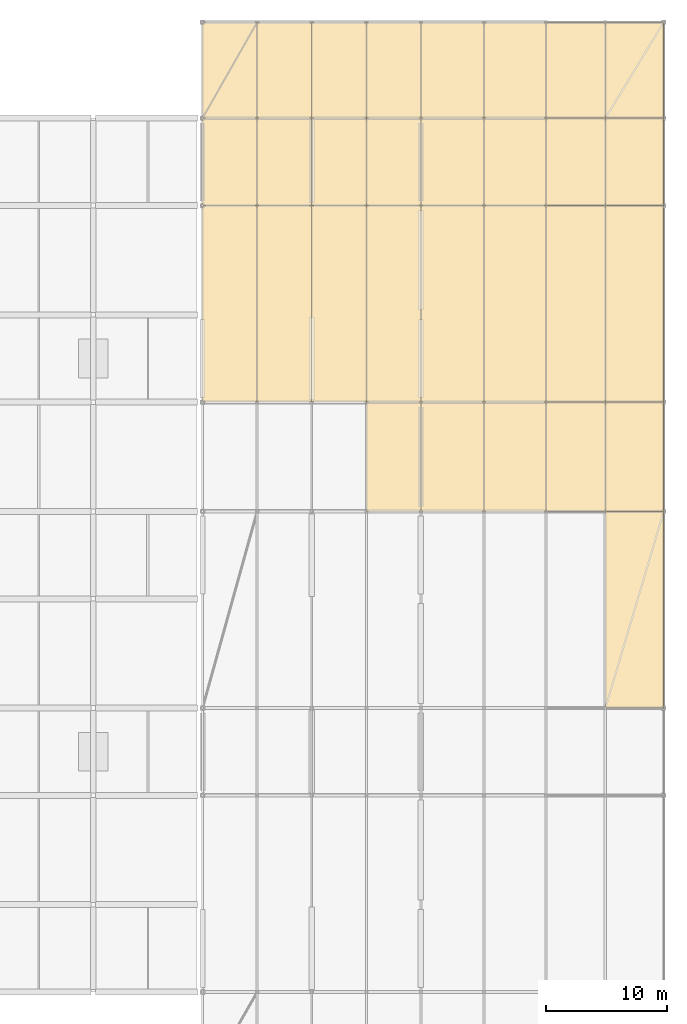
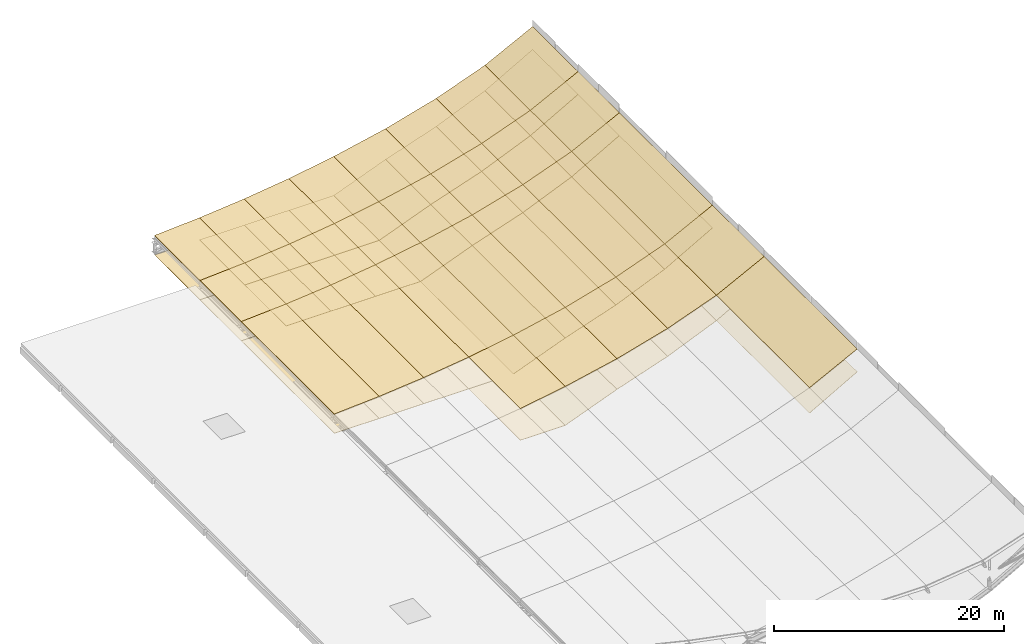
# One storey, part 24 of 24: 60 coverings, 2 elements without a shape of their own.
"""IFC4 building model written with IfcOpenShell, lengths in metres."""

from ifc_helpers import new_model, si_unit, direction, frame, origin, place, context, subcontext, project, spatial, polyline, outline, extrude, material, layer, layer_set, type_object, element, aggregate, save


model = new_model("IFC4")

# Units and contexts
model_context = context("Model", 3, precision=1e-05, world=origin(), true_north=direction((0.0, 1.0)))
body_context = subcontext(model_context, "Body", "Model", "MODEL_VIEW")
ifc_project = project(units=[si_unit("LENGTHUNIT", "METRE"), si_unit("AREAUNIT", "SQUARE_METRE"), si_unit("VOLUMEUNIT", "CUBIC_METRE"), si_unit("PLANEANGLEUNIT", "RADIAN"), si_unit("MASSUNIT", "GRAM", prefix="KILO"), si_unit("THERMODYNAMICTEMPERATUREUNIT", "KELVIN"), si_unit("POWERUNIT", "WATT")], contexts=[model_context])

# Site, building, storey
site_placement = place(None, origin())
site = spatial("IfcSite", under=ifc_project, at=site_placement, CompositionType="ELEMENT")
building_placement = place(site_placement, origin())
building = spatial("IfcBuilding", under=site, at=building_placement, Name="Sindhuravela Promenade Stadium", CompositionType="ELEMENT")
storey_placement = place(building_placement, frame((0.0, 0.0, 28.800048828125)))
storey = spatial("IfcBuildingStorey", under=building, at=storey_placement, Name="RF", CompositionType="ELEMENT", Elevation=28.800048828125)

# Roof, covering
ifc_material_1 = material(Name="Standing-seam zinc-aluminium roof sheet", Category="aluminium")
roof_type = type_object("IfcRoofType", Name="RF-BARREL-W", PredefinedType="BARREL_ROOF", material=ifc_material_1)
roof_1_placement = place(storey_placement, origin())
roof_1 = element("IfcRoof", 1, at=roof_1_placement, inside=storey, type_object=roof_type, Name="Cantilevered stand roof assembly W-1", PredefinedType="BARREL_ROOF")
ifc_layer_1 = layer(ifc_material_1, 0.044921875)
ifc_layer_set_1 = layer_set([ifc_layer_1], Name="Standing-seam zinc-aluminium roof sheet")
covering_type_1 = type_object("IfcCoveringType", Name="CV-ROOF-W", PredefinedType="ROOFING", material=ifc_layer_set_1)
covering_1_placement = place(storey_placement, frame((51.199951171875, 68.39990234375, 6.804931640625), z_axis=(-0.4531343199003089, 0.0, 0.8914422517070215), x_axis=(0.0, 1.0, 0.0)))
covering_1 = element("IfcCovering", 2, at=covering_1_placement, type_object=covering_type_1, Name="Standing-seam roof covering W bay 4.8", PredefinedType="ROOFING", context=body_context, shape_type="SweptSolid", body=[
    extrude(outline(polyline([(0.0, 0.0), (0.0, -5.384587525365097), (16.2001953125, -5.384587525365097), (16.2001953125, 0.0), (0.0, 0.0)])), origin(), (0.0, 0.0, -1.0), 0.044921875),
])
aggregate(roof_1, [covering_1])

# Roof, coverings
roof_2_placement = place(storey_placement, origin())
roof_2 = element("IfcRoof", 3, at=roof_2_placement, inside=storey, type_object=roof_type, Name="Cantilevered stand roof assembly W-2", PredefinedType="BARREL_ROOF")
covering_2_placement = place(storey_placement, frame((31.5, 84.60009765625, 1.66796875), z_axis=(-0.16674069209504494, 0.0, 0.9860007817439423), x_axis=(0.0, 1.0, 0.0)))
covering_2 = element("IfcCovering", 4, at=covering_2_placement, type_object=covering_type_1, Name="Standing-seam roof covering W bay 5.4", PredefinedType="ROOFING", context=body_context, shape_type="SweptSolid", body=[
    extrude(outline(polyline([(0.0, 0.0), (0.0, -4.56389090487417), (9.0, -4.56389090487417), (9.0, 0.0), (0.0, 0.0)])), origin(), (0.0, 0.0, -1.0), 0.044921875),
])
covering_3_placement = place(storey_placement, frame((36.0, 84.60009765625, 2.428955078125), z_axis=(-0.21242012068609856, 0.0, 0.9771784342317955), x_axis=(0.0, 1.0, 0.0)))
covering_3 = element("IfcCovering", 5, at=covering_3_placement, type_object=covering_type_1, Name="Standing-seam roof covering W bay 5.5", PredefinedType="ROOFING", context=body_context, shape_type="SweptSolid", body=[
    extrude(outline(polyline([(0.0, 0.0), (0.0, -5.321393708369055), (9.0, -5.321393708369055), (9.0, 0.0), (0.0, 0.0)])), origin(), (0.0, 0.0, -1.0), 0.044921875),
])
covering_4_placement = place(storey_placement, frame((41.199951171875, 84.60009765625, 3.559326171875), z_axis=(-0.2712445701548118, 0.0, 0.9625104587283877), x_axis=(0.0, 1.0, 0.0)))
covering_4 = element("IfcCovering", 6, at=covering_4_placement, type_object=covering_type_1, Name="Standing-seam roof covering W bay 5.6", PredefinedType="ROOFING", context=body_context, shape_type="SweptSolid", body=[
    extrude(outline(polyline([(0.0, 0.0), (0.0, -5.298745182455419), (9.0, -5.298745182455419), (9.0, 0.0), (0.0, 0.0)])), origin(), (0.0, 0.0, -1.0), 0.044921875),
])
covering_5_placement = place(storey_placement, frame((46.300048828125, 84.60009765625, 4.99658203125), z_axis=(-0.34623168577076896, 0.0, 0.9381490392087665), x_axis=(0.0, 1.0, 0.0)))
covering_5 = element("IfcCovering", 7, at=covering_5_placement, type_object=covering_type_1, Name="Standing-seam roof covering W bay 5.7", PredefinedType="ROOFING", context=body_context, shape_type="SweptSolid", body=[
    extrude(outline(polyline([(0.0, 0.0), (0.0, -5.222946609722663), (9.0, -5.222946609722663), (9.0, 0.0), (0.0, 0.0)])), origin(), (0.0, 0.0, -1.0), 0.044921875),
])
covering_6_placement = place(storey_placement, frame((51.199951171875, 84.60009765625, 6.804931640625), z_axis=(-0.45313431990030884, 0.0, 0.8914422517070214), x_axis=(0.0, 1.0, 0.0)))
covering_6 = element("IfcCovering", 8, at=covering_6_placement, type_object=covering_type_1, Name="Standing-seam roof covering W bay 5.8", PredefinedType="ROOFING", context=body_context, shape_type="SweptSolid", body=[
    extrude(outline(polyline([(0.0, 0.0), (0.0, -5.384587525365096), (9.0, -5.384587525365096), (9.0, 0.0), (0.0, 0.0)])), origin(), (0.0, 0.0, -1.0), 0.044921875),
])
covering_7_placement = place(storey_placement, frame((18.0, 93.60009765625, 0.349853515625), z_axis=(-0.06507444958967684, 0.0, 0.9978804116779729), x_axis=(0.0, 1.0, 0.0)))
covering_7 = element("IfcCovering", 9, at=covering_7_placement, type_object=covering_type_1, Name="Standing-seam roof covering W bay 6.1", PredefinedType="ROOFING", context=body_context, shape_type="SweptSolid", body=[
    extrude(outline(polyline([(0.0, 0.0), (0.0, -4.509558407337692), (16.199951171875, -4.509558407337692), (16.199951171875, 0.0), (0.0, 0.0)])), origin(), (0.0, 0.0, -1.0), 0.044921875),
])
covering_8_placement = place(storey_placement, frame((22.5, 93.60009765625, 0.643310546875), z_axis=(-0.09628450096905211, 0.0, 0.9953538541007115), x_axis=(0.0, 1.0, 0.0)))
covering_8 = element("IfcCovering", 10, at=covering_8_placement, type_object=covering_type_1, Name="Standing-seam roof covering W bay 6.2", PredefinedType="ROOFING", context=body_context, shape_type="SweptSolid", body=[
    extrude(outline(polyline([(0.0, 0.0), (0.0, -4.521005250002962), (16.199951171875, -4.521005250002962), (16.199951171875, 0.0), (0.0, 0.0)])), origin(), (0.0, 0.0, -1.0), 0.044921875),
])
covering_9_placement = place(storey_placement, frame((27.0, 93.60009765625, 1.07861328125), z_axis=(-0.12985890910380446, 0.0, 0.9915324824363395), x_axis=(0.0, 1.0, 0.0)))
covering_9 = element("IfcCovering", 11, at=covering_9_placement, type_object=covering_type_1, Name="Standing-seam roof covering W bay 6.3", PredefinedType="ROOFING", context=body_context, shape_type="SweptSolid", body=[
    extrude(outline(polyline([(0.0, 0.0), (0.0, -4.538429229209765), (16.199951171875, -4.538429229209765), (16.199951171875, 0.0), (0.0, 0.0)])), origin(), (0.0, 0.0, -1.0), 0.044921875),
])
covering_10_placement = place(storey_placement, frame((31.5, 93.60009765625, 1.66796875), z_axis=(-0.16674069209504494, 0.0, 0.9860007817439425), x_axis=(0.0, 1.0, 0.0)))
covering_10 = element("IfcCovering", 12, at=covering_10_placement, type_object=covering_type_1, Name="Standing-seam roof covering W bay 6.4", PredefinedType="ROOFING", context=body_context, shape_type="SweptSolid", body=[
    extrude(outline(polyline([(0.0, 0.0), (0.0, -4.563890904874171), (16.199951171875, -4.563890904874171), (16.199951171875, 0.0), (0.0, 0.0)])), origin(), (0.0, 0.0, -1.0), 0.044921875),
])
covering_11_placement = place(storey_placement, frame((36.0, 93.60009765625, 2.428955078125), z_axis=(-0.21242012068609856, 0.0, 0.9771784342317954), x_axis=(0.0, 1.0, 0.0)))
covering_11 = element("IfcCovering", 13, at=covering_11_placement, type_object=covering_type_1, Name="Standing-seam roof covering W bay 6.5", PredefinedType="ROOFING", context=body_context, shape_type="SweptSolid", body=[
    extrude(outline(polyline([(0.0, 0.0), (0.0, -5.321393708369055), (16.199951171875, -5.321393708369055), (16.199951171875, 0.0), (0.0, 0.0)])), origin(), (0.0, 0.0, -1.0), 0.044921875),
])
covering_12_placement = place(storey_placement, frame((41.199951171875, 93.60009765625, 3.559326171875), z_axis=(-0.2712445701548118, 0.0, 0.9625104587283878), x_axis=(0.0, 1.0, 0.0)))
covering_12 = element("IfcCovering", 14, at=covering_12_placement, type_object=covering_type_1, Name="Standing-seam roof covering W bay 6.6", PredefinedType="ROOFING", context=body_context, shape_type="SweptSolid", body=[
    extrude(outline(polyline([(0.0, 0.0), (0.0, -5.29874518245542), (16.199951171875, -5.29874518245542), (16.199951171875, 0.0), (0.0, 0.0)])), origin(), (0.0, 0.0, -1.0), 0.044921875),
])
covering_13_placement = place(storey_placement, frame((46.300048828125, 93.60009765625, 4.99658203125), z_axis=(-0.34623168577076896, 0.0, 0.9381490392087665), x_axis=(0.0, 1.0, 0.0)))
covering_13 = element("IfcCovering", 15, at=covering_13_placement, type_object=covering_type_1, Name="Standing-seam roof covering W bay 6.7", PredefinedType="ROOFING", context=body_context, shape_type="SweptSolid", body=[
    extrude(outline(polyline([(0.0, 0.0), (0.0, -5.222946609722663), (16.199951171875, -5.222946609722663), (16.199951171875, 0.0), (0.0, 0.0)])), origin(), (0.0, 0.0, -1.0), 0.044921875),
])
covering_14_placement = place(storey_placement, frame((51.199951171875, 93.60009765625, 6.804931640625), z_axis=(-0.45313431990030884, 0.0, 0.8914422517070214), x_axis=(0.0, 1.0, 0.0)))
covering_14 = element("IfcCovering", 16, at=covering_14_placement, type_object=covering_type_1, Name="Standing-seam roof covering W bay 6.8", PredefinedType="ROOFING", context=body_context, shape_type="SweptSolid", body=[
    extrude(outline(polyline([(0.0, 0.0), (0.0, -5.384587525365096), (16.199951171875, -5.384587525365096), (16.199951171875, 0.0), (0.0, 0.0)])), origin(), (0.0, 0.0, -1.0), 0.044921875),
])
covering_15_placement = place(storey_placement, frame((18.0, 109.800048828125, 0.349853515625), z_axis=(-0.06507444958967683, 0.0, 0.9978804116779727), x_axis=(0.0, 1.0, 0.0)))
covering_15 = element("IfcCovering", 17, at=covering_15_placement, type_object=covering_type_1, Name="Standing-seam roof covering W bay 7.1", PredefinedType="ROOFING", context=body_context, shape_type="SweptSolid", body=[
    extrude(outline(polyline([(0.0, 0.0), (0.0, -4.509558407337691), (7.199951171875, -4.509558407337691), (7.199951171875, 0.0), (0.0, 0.0)])), origin(), (0.0, 0.0, -1.0), 0.044921875),
])
covering_16_placement = place(storey_placement, frame((22.5, 109.800048828125, 0.643310546875), z_axis=(-0.09628450096905211, 0.0, 0.9953538541007115), x_axis=(0.0, 1.0, 0.0)))
covering_16 = element("IfcCovering", 18, at=covering_16_placement, type_object=covering_type_1, Name="Standing-seam roof covering W bay 7.2", PredefinedType="ROOFING", context=body_context, shape_type="SweptSolid", body=[
    extrude(outline(polyline([(0.0, 0.0), (0.0, -4.521005250002962), (7.199951171875, -4.521005250002962), (7.199951171875, 0.0), (0.0, 0.0)])), origin(), (0.0, 0.0, -1.0), 0.044921875),
])
covering_17_placement = place(storey_placement, frame((27.0, 109.800048828125, 1.07861328125), z_axis=(-0.12985890910380446, 0.0, 0.9915324824363395), x_axis=(0.0, 1.0, 0.0)))
covering_17 = element("IfcCovering", 19, at=covering_17_placement, type_object=covering_type_1, Name="Standing-seam roof covering W bay 7.3", PredefinedType="ROOFING", context=body_context, shape_type="SweptSolid", body=[
    extrude(outline(polyline([(0.0, 0.0), (0.0, -4.538429229209765), (7.199951171875, -4.538429229209765), (7.199951171875, 0.0), (0.0, 0.0)])), origin(), (0.0, 0.0, -1.0), 0.044921875),
])
covering_18_placement = place(storey_placement, frame((31.5, 109.800048828125, 1.66796875), z_axis=(-0.16674069209504494, 0.0, 0.9860007817439423), x_axis=(0.0, 1.0, 0.0)))
covering_18 = element("IfcCovering", 20, at=covering_18_placement, type_object=covering_type_1, Name="Standing-seam roof covering W bay 7.4", PredefinedType="ROOFING", context=body_context, shape_type="SweptSolid", body=[
    extrude(outline(polyline([(0.0, 0.0), (0.0, -4.56389090487417), (7.199951171875, -4.56389090487417), (7.199951171875, 0.0), (0.0, 0.0)])), origin(), (0.0, 0.0, -1.0), 0.044921875),
])
covering_19_placement = place(storey_placement, frame((36.0, 109.800048828125, 2.428955078125), z_axis=(-0.21242012068609853, 0.0, 0.9771784342317954), x_axis=(0.0, 1.0, 0.0)))
covering_19 = element("IfcCovering", 21, at=covering_19_placement, type_object=covering_type_1, Name="Standing-seam roof covering W bay 7.5", PredefinedType="ROOFING", context=body_context, shape_type="SweptSolid", body=[
    extrude(outline(polyline([(0.0, 0.0), (0.0, -5.321393708369055), (7.199951171875, -5.321393708369055), (7.199951171875, 0.0), (0.0, 0.0)])), origin(), (0.0, 0.0, -1.0), 0.044921875),
])
covering_20_placement = place(storey_placement, frame((41.199951171875, 109.800048828125, 3.559326171875), z_axis=(-0.2712445701548118, 0.0, 0.9625104587283877), x_axis=(0.0, 1.0, 0.0)))
covering_20 = element("IfcCovering", 22, at=covering_20_placement, type_object=covering_type_1, Name="Standing-seam roof covering W bay 7.6", PredefinedType="ROOFING", context=body_context, shape_type="SweptSolid", body=[
    extrude(outline(polyline([(0.0, 0.0), (0.0, -5.298745182455419), (7.199951171875, -5.298745182455419), (7.199951171875, 0.0), (0.0, 0.0)])), origin(), (0.0, 0.0, -1.0), 0.044921875),
])
covering_21_placement = place(storey_placement, frame((46.300048828125, 109.800048828125, 4.99658203125), z_axis=(-0.34623168577076896, 0.0, 0.9381490392087665), x_axis=(0.0, 1.0, 0.0)))
covering_21 = element("IfcCovering", 23, at=covering_21_placement, type_object=covering_type_1, Name="Standing-seam roof covering W bay 7.7", PredefinedType="ROOFING", context=body_context, shape_type="SweptSolid", body=[
    extrude(outline(polyline([(0.0, 0.0), (0.0, -5.222946609722663), (7.199951171875, -5.222946609722663), (7.199951171875, 0.0), (0.0, 0.0)])), origin(), (0.0, 0.0, -1.0), 0.044921875),
])
covering_22_placement = place(storey_placement, frame((51.199951171875, 109.800048828125, 6.804931640625), z_axis=(-0.4531343199003089, 0.0, 0.8914422517070215), x_axis=(0.0, 1.0, 0.0)))
covering_22 = element("IfcCovering", 24, at=covering_22_placement, type_object=covering_type_1, Name="Standing-seam roof covering W bay 7.8", PredefinedType="ROOFING", context=body_context, shape_type="SweptSolid", body=[
    extrude(outline(polyline([(0.0, 0.0), (0.0, -5.384587525365097), (7.199951171875, -5.384587525365097), (7.199951171875, 0.0), (0.0, 0.0)])), origin(), (0.0, 0.0, -1.0), 0.044921875),
])
covering_23_placement = place(storey_placement, frame((18.0, 117.0, 0.349853515625), z_axis=(-0.06507444958967683, 0.0, 0.9978804116779729), x_axis=(0.0, 1.0, 0.0)))
covering_23 = element("IfcCovering", 25, at=covering_23_placement, type_object=covering_type_1, Name="Standing-seam roof covering W bay 8.1", PredefinedType="ROOFING", context=body_context, shape_type="SweptSolid", body=[
    extrude(outline(polyline([(0.0, 0.0), (0.0, -4.509558407337692), (7.89990234375, -4.509558407337692), (7.89990234375, 0.0), (0.0, 0.0)])), origin(), (0.0, 0.0, -1.0), 0.044921875),
])
covering_24_placement = place(storey_placement, frame((22.5, 117.0, 0.643310546875), z_axis=(-0.09628450096905211, 0.0, 0.9953538541007115), x_axis=(0.0, 1.0, 0.0)))
covering_24 = element("IfcCovering", 26, at=covering_24_placement, type_object=covering_type_1, Name="Standing-seam roof covering W bay 8.2", PredefinedType="ROOFING", context=body_context, shape_type="SweptSolid", body=[
    extrude(outline(polyline([(0.0, 0.0), (0.0, -4.521005250002962), (7.89990234375, -4.521005250002962), (7.89990234375, 0.0), (0.0, 0.0)])), origin(), (0.0, 0.0, -1.0), 0.044921875),
])
covering_25_placement = place(storey_placement, frame((27.0, 117.0, 1.07861328125), z_axis=(-0.12985890910380446, 0.0, 0.9915324824363395), x_axis=(0.0, 1.0, 0.0)))
covering_25 = element("IfcCovering", 27, at=covering_25_placement, type_object=covering_type_1, Name="Standing-seam roof covering W bay 8.3", PredefinedType="ROOFING", context=body_context, shape_type="SweptSolid", body=[
    extrude(outline(polyline([(0.0, 0.0), (0.0, -4.538429229209765), (7.89990234375, -4.538429229209765), (7.89990234375, 0.0), (0.0, 0.0)])), origin(), (0.0, 0.0, -1.0), 0.044921875),
])
covering_26_placement = place(storey_placement, frame((31.5, 117.0, 1.66796875), z_axis=(-0.16674069209504494, 0.0, 0.9860007817439422), x_axis=(0.0, 1.0, 0.0)))
covering_26 = element("IfcCovering", 28, at=covering_26_placement, type_object=covering_type_1, Name="Standing-seam roof covering W bay 8.4", PredefinedType="ROOFING", context=body_context, shape_type="SweptSolid", body=[
    extrude(outline(polyline([(0.0, 0.0), (0.0, -4.56389090487417), (7.89990234375, -4.56389090487417), (7.89990234375, 0.0), (0.0, 0.0)])), origin(), (0.0, 0.0, -1.0), 0.044921875),
])
covering_27_placement = place(storey_placement, frame((36.0, 117.0, 2.428955078125), z_axis=(-0.21242012068609856, 0.0, 0.9771784342317955), x_axis=(0.0, 1.0, 0.0)))
covering_27 = element("IfcCovering", 29, at=covering_27_placement, type_object=covering_type_1, Name="Standing-seam roof covering W bay 8.5", PredefinedType="ROOFING", context=body_context, shape_type="SweptSolid", body=[
    extrude(outline(polyline([(0.0, 0.0), (0.0, -5.321393708369055), (7.89990234375, -5.321393708369055), (7.89990234375, 0.0), (0.0, 0.0)])), origin(), (0.0, 0.0, -1.0), 0.044921875),
])
covering_28_placement = place(storey_placement, frame((41.199951171875, 117.0, 3.559326171875), z_axis=(-0.2712445701548118, 0.0, 0.9625104587283877), x_axis=(0.0, 1.0, 0.0)))
covering_28 = element("IfcCovering", 30, at=covering_28_placement, type_object=covering_type_1, Name="Standing-seam roof covering W bay 8.6", PredefinedType="ROOFING", context=body_context, shape_type="SweptSolid", body=[
    extrude(outline(polyline([(0.0, 0.0), (0.0, -5.298745182455419), (7.89990234375, -5.298745182455419), (7.89990234375, 0.0), (0.0, 0.0)])), origin(), (0.0, 0.0, -1.0), 0.044921875),
])
covering_29_placement = place(storey_placement, frame((46.300048828125, 117.0, 4.99658203125), z_axis=(-0.34623168577076896, 0.0, 0.9381490392087665), x_axis=(0.0, 1.0, 0.0)))
covering_29 = element("IfcCovering", 31, at=covering_29_placement, type_object=covering_type_1, Name="Standing-seam roof covering W bay 8.7", PredefinedType="ROOFING", context=body_context, shape_type="SweptSolid", body=[
    extrude(outline(polyline([(0.0, 0.0), (0.0, -5.222946609722663), (7.89990234375, -5.222946609722663), (7.89990234375, 0.0), (0.0, 0.0)])), origin(), (0.0, 0.0, -1.0), 0.044921875),
])
covering_30_placement = place(storey_placement, frame((51.199951171875, 117.0, 6.804931640625), z_axis=(-0.4531343199003089, 0.0, 0.8914422517070215), x_axis=(0.0, 1.0, 0.0)))
covering_30 = element("IfcCovering", 32, at=covering_30_placement, type_object=covering_type_1, Name="Standing-seam roof covering W bay 8.8", PredefinedType="ROOFING", context=body_context, shape_type="SweptSolid", body=[
    extrude(outline(polyline([(0.0, 0.0), (0.0, -5.384587525365097), (7.89990234375, -5.384587525365097), (7.89990234375, 0.0), (0.0, 0.0)])), origin(), (0.0, 0.0, -1.0), 0.044921875),
])
aggregate(roof_2, [covering_2, covering_3, covering_4, covering_5, covering_6, covering_7, covering_8, covering_9, covering_10, covering_11, covering_12, covering_13, covering_14, covering_15, covering_16, covering_17, covering_18, covering_19, covering_20, covering_21, covering_22, covering_23, covering_24, covering_25, covering_26, covering_27, covering_28, covering_29, covering_30])

# Coverings
ifc_material_2 = material(Name="White PVDF aluminium soffit cladding", Category="aluminium")
ifc_layer_2 = layer(ifc_material_2, 0.034912109375)
ifc_layer_set_2 = layer_set([ifc_layer_2], Name="White PVDF aluminium soffit cladding")
covering_type_2 = type_object("IfcCoveringType", Name="CV-SOFFIT-W", PredefinedType="CEILING", material=ifc_layer_set_2)
covering_31_placement = place(storey_placement, frame((51.199951171875, 68.39990234375, 4.110107421875), z_axis=(-0.4916295802110757, 0.0, 0.8708044303180144), x_axis=(0.0, 1.0, 0.0)))
element("IfcCovering", 33, at=covering_31_placement, inside=storey, type_object=covering_type_2, Name="Smooth white canopy soffit cladding W bay 4.8", PredefinedType="CEILING", context=body_context, shape_type="SweptSolid", body=[
    extrude(outline(polyline([(0.0, 0.0), (0.0, -5.512200743365581), (16.2001953125, -5.512200743365581), (16.2001953125, 0.0), (0.0, 0.0)])), origin(), (0.0, 0.0, -1.0), 0.034912109375),
])
covering_32_placement = place(storey_placement, frame((31.5, 84.60009765625, -1.699951171875), z_axis=(0.0, 0.0, 1.0), x_axis=(0.0, 1.0, 0.0)))
element("IfcCovering", 34, at=covering_32_placement, inside=storey, type_object=covering_type_2, Name="Smooth white canopy soffit cladding W bay 5.4", PredefinedType="CEILING", context=body_context, shape_type="SweptSolid", body=[
    extrude(outline(polyline([(0.0, 0.0), (0.0, -4.5), (9.0, -4.5), (9.0, 0.0), (0.0, 0.0)])), origin(), (0.0, 0.0, -1.0), 0.034912109375),
])
covering_33_placement = place(storey_placement, frame((36.0, 84.60009765625, -1.699951171875), z_axis=(-0.35924918901323916, 0.0, 0.9332416729836542), x_axis=(0.0, 1.0, 0.0)))
element("IfcCovering", 35, at=covering_33_placement, inside=storey, type_object=covering_type_2, Name="Smooth white canopy soffit cladding W bay 5.5", PredefinedType="CEILING", context=body_context, shape_type="SweptSolid", body=[
    extrude(outline(polyline([(0.0, 0.0), (0.0, -5.571923460351171), (9.0, -5.571923460351171), (9.0, 0.0), (0.0, 0.0)])), origin(), (0.0, 0.0, -1.0), 0.034912109375),
])
covering_34_placement = place(storey_placement, frame((41.199951171875, 84.60009765625, 0.3017578125), z_axis=(-0.3202518735151854, 0.0, 0.9473324324174771), x_axis=(0.0, 1.0, 0.0)))
element("IfcCovering", 36, at=covering_34_placement, inside=storey, type_object=covering_type_2, Name="Smooth white canopy soffit cladding W bay 5.6", PredefinedType="CEILING", context=body_context, shape_type="SweptSolid", body=[
    extrude(outline(polyline([(0.0, 0.0), (0.0, -5.383640928702475), (9.0, -5.383640928702475), (9.0, 0.0), (0.0, 0.0)])), origin(), (0.0, 0.0, -1.0), 0.034912109375),
])
covering_35_placement = place(storey_placement, frame((46.300048828125, 84.60009765625, 2.02587890625), z_axis=(-0.3914221789441765, 0.0, 0.9202112137061758), x_axis=(0.0, 1.0, 0.0)))
element("IfcCovering", 37, at=covering_35_placement, inside=storey, type_object=covering_type_2, Name="Smooth white canopy soffit cladding W bay 5.7", PredefinedType="CEILING", context=body_context, shape_type="SweptSolid", body=[
    extrude(outline(polyline([(0.0, 0.0), (0.0, -5.324758349787447), (9.0, -5.324758349787447), (9.0, 0.0), (0.0, 0.0)])), origin(), (0.0, 0.0, -1.0), 0.034912109375),
])
covering_36_placement = place(storey_placement, frame((51.199951171875, 84.60009765625, 4.110107421875), z_axis=(-0.4916295802110757, 0.0, 0.8708044303180144), x_axis=(0.0, 1.0, 0.0)))
element("IfcCovering", 38, at=covering_36_placement, inside=storey, type_object=covering_type_2, Name="Smooth white canopy soffit cladding W bay 5.8", PredefinedType="CEILING", context=body_context, shape_type="SweptSolid", body=[
    extrude(outline(polyline([(0.0, 0.0), (0.0, -5.512200743365581), (9.0, -5.512200743365581), (9.0, 0.0), (0.0, 0.0)])), origin(), (0.0, 0.0, -1.0), 0.034912109375),
])
for number, where, z_axis, x_axis, name in (
    (39, (18.0, 93.60009765625, -1.699951171875), (0.0, 0.0, 1.0), (0.0, 1.0, 0.0), "Smooth white canopy soffit cladding W bay 6.1"),
    (40, (22.5, 93.60009765625, -1.699951171875), (0.0, 0.0, 1.0), (0.0, 1.0, 0.0), "Smooth white canopy soffit cladding W bay 6.2"),
    (41, (27.0, 93.60009765625, -1.699951171875), (0.0, 0.0, 1.0), (0.0, 1.0, 0.0), "Smooth white canopy soffit cladding W bay 6.3"),
    (42, (31.5, 93.60009765625, -1.699951171875), (0.0, 0.0, 1.0), (0.0, 1.0, 0.0), "Smooth white canopy soffit cladding W bay 6.4"),
):
    element("IfcCovering", number, at=place(storey_placement, frame(where, z_axis=z_axis, x_axis=x_axis)), inside=storey, type_object=covering_type_2, Name=name, PredefinedType="CEILING", context=body_context, shape_type="SweptSolid", body=[
        extrude(outline(polyline([(0.0, 0.0), (0.0, -4.5), (16.199951171875, -4.5), (16.199951171875, 0.0), (0.0, 0.0)])), origin(), (0.0, 0.0, -1.0), 0.034912109375),
    ])
covering_37_placement = place(storey_placement, frame((36.0, 93.60009765625, -1.699951171875), z_axis=(-0.35924918901323916, 0.0, 0.9332416729836542), x_axis=(0.0, 1.0, 0.0)))
element("IfcCovering", 43, at=covering_37_placement, inside=storey, type_object=covering_type_2, Name="Smooth white canopy soffit cladding W bay 6.5", PredefinedType="CEILING", context=body_context, shape_type="SweptSolid", body=[
    extrude(outline(polyline([(0.0, 0.0), (0.0, -5.571923460351171), (16.199951171875, -5.571923460351171), (16.199951171875, 0.0), (0.0, 0.0)])), origin(), (0.0, 0.0, -1.0), 0.034912109375),
])
covering_38_placement = place(storey_placement, frame((41.199951171875, 93.60009765625, 0.3017578125), z_axis=(-0.3202518735151854, 0.0, 0.947332432417477), x_axis=(0.0, 1.0, 0.0)))
element("IfcCovering", 44, at=covering_38_placement, inside=storey, type_object=covering_type_2, Name="Smooth white canopy soffit cladding W bay 6.6", PredefinedType="CEILING", context=body_context, shape_type="SweptSolid", body=[
    extrude(outline(polyline([(0.0, 0.0), (0.0, -5.383640928702474), (16.199951171875, -5.383640928702474), (16.199951171875, 0.0), (0.0, 0.0)])), origin(), (0.0, 0.0, -1.0), 0.034912109375),
])
covering_39_placement = place(storey_placement, frame((46.300048828125, 93.60009765625, 2.02587890625), z_axis=(-0.3914221789441765, 0.0, 0.9202112137061758), x_axis=(0.0, 1.0, 0.0)))
element("IfcCovering", 45, at=covering_39_placement, inside=storey, type_object=covering_type_2, Name="Smooth white canopy soffit cladding W bay 6.7", PredefinedType="CEILING", context=body_context, shape_type="SweptSolid", body=[
    extrude(outline(polyline([(0.0, 0.0), (0.0, -5.324758349787447), (16.199951171875, -5.324758349787447), (16.199951171875, 0.0), (0.0, 0.0)])), origin(), (0.0, 0.0, -1.0), 0.034912109375),
])
covering_40_placement = place(storey_placement, frame((51.199951171875, 93.60009765625, 4.110107421875), z_axis=(-0.4916295802110757, 0.0, 0.8708044303180144), x_axis=(0.0, 1.0, 0.0)))
element("IfcCovering", 46, at=covering_40_placement, inside=storey, type_object=covering_type_2, Name="Smooth white canopy soffit cladding W bay 6.8", PredefinedType="CEILING", context=body_context, shape_type="SweptSolid", body=[
    extrude(outline(polyline([(0.0, 0.0), (0.0, -5.512200743365581), (16.199951171875, -5.512200743365581), (16.199951171875, 0.0), (0.0, 0.0)])), origin(), (0.0, 0.0, -1.0), 0.034912109375),
])
for number, where, z_axis, x_axis, name in (
    (47, (18.0, 109.800048828125, -1.699951171875), (0.0, 0.0, 1.0), (0.0, 1.0, 0.0), "Smooth white canopy soffit cladding W bay 7.1"),
    (48, (22.5, 109.800048828125, -1.699951171875), (0.0, 0.0, 1.0), (0.0, 1.0, 0.0), "Smooth white canopy soffit cladding W bay 7.2"),
    (49, (27.0, 109.800048828125, -1.699951171875), (0.0, 0.0, 1.0), (0.0, 1.0, 0.0), "Smooth white canopy soffit cladding W bay 7.3"),
    (50, (31.5, 109.800048828125, -1.699951171875), (0.0, 0.0, 1.0), (0.0, 1.0, 0.0), "Smooth white canopy soffit cladding W bay 7.4"),
):
    element("IfcCovering", number, at=place(storey_placement, frame(where, z_axis=z_axis, x_axis=x_axis)), inside=storey, type_object=covering_type_2, Name=name, PredefinedType="CEILING", context=body_context, shape_type="SweptSolid", body=[
        extrude(outline(polyline([(0.0, 0.0), (0.0, -4.5), (7.199951171875, -4.5), (7.199951171875, 0.0), (0.0, 0.0)])), origin(), (0.0, 0.0, -1.0), 0.034912109375),
    ])
covering_41_placement = place(storey_placement, frame((36.0, 109.800048828125, -1.699951171875), z_axis=(-0.3592491890132392, 0.0, 0.9332416729836543), x_axis=(0.0, 1.0, 0.0)))
element("IfcCovering", 51, at=covering_41_placement, inside=storey, type_object=covering_type_2, Name="Smooth white canopy soffit cladding W bay 7.5", PredefinedType="CEILING", context=body_context, shape_type="SweptSolid", body=[
    extrude(outline(polyline([(0.0, 0.0), (0.0, -5.571923460351172), (7.199951171875, -5.571923460351172), (7.199951171875, 0.0), (0.0, 0.0)])), origin(), (0.0, 0.0, -1.0), 0.034912109375),
])
covering_42_placement = place(storey_placement, frame((41.199951171875, 109.800048828125, 0.3017578125), z_axis=(-0.32025187351518536, 0.0, 0.947332432417477), x_axis=(0.0, 1.0, 0.0)))
element("IfcCovering", 52, at=covering_42_placement, inside=storey, type_object=covering_type_2, Name="Smooth white canopy soffit cladding W bay 7.6", PredefinedType="CEILING", context=body_context, shape_type="SweptSolid", body=[
    extrude(outline(polyline([(0.0, 0.0), (0.0, -5.383640928702474), (7.199951171875, -5.383640928702474), (7.199951171875, 0.0), (0.0, 0.0)])), origin(), (0.0, 0.0, -1.0), 0.034912109375),
])
covering_43_placement = place(storey_placement, frame((46.300048828125, 109.800048828125, 2.02587890625), z_axis=(-0.3914221789441765, 0.0, 0.9202112137061758), x_axis=(0.0, 1.0, 0.0)))
element("IfcCovering", 53, at=covering_43_placement, inside=storey, type_object=covering_type_2, Name="Smooth white canopy soffit cladding W bay 7.7", PredefinedType="CEILING", context=body_context, shape_type="SweptSolid", body=[
    extrude(outline(polyline([(0.0, 0.0), (0.0, -5.324758349787447), (7.199951171875, -5.324758349787447), (7.199951171875, 0.0), (0.0, 0.0)])), origin(), (0.0, 0.0, -1.0), 0.034912109375),
])
covering_44_placement = place(storey_placement, frame((51.199951171875, 109.800048828125, 4.110107421875), z_axis=(-0.4916295802110757, 0.0, 0.8708044303180145), x_axis=(0.0, 1.0, 0.0)))
element("IfcCovering", 54, at=covering_44_placement, inside=storey, type_object=covering_type_2, Name="Smooth white canopy soffit cladding W bay 7.8", PredefinedType="CEILING", context=body_context, shape_type="SweptSolid", body=[
    extrude(outline(polyline([(0.0, 0.0), (0.0, -5.5122007433655815), (7.199951171875, -5.5122007433655815), (7.199951171875, 0.0), (0.0, 0.0)])), origin(), (0.0, 0.0, -1.0), 0.034912109375),
])
for number, where, z_axis, x_axis, name in (
    (55, (18.0, 117.0, -1.699951171875), (0.0, 0.0, 1.0), (0.0, 1.0, 0.0), "Smooth white canopy soffit cladding W bay 8.1"),
    (56, (22.5, 117.0, -1.699951171875), (0.0, 0.0, 1.0), (0.0, 1.0, 0.0), "Smooth white canopy soffit cladding W bay 8.2"),
    (57, (27.0, 117.0, -1.699951171875), (0.0, 0.0, 1.0), (0.0, 1.0, 0.0), "Smooth white canopy soffit cladding W bay 8.3"),
    (58, (31.5, 117.0, -1.699951171875), (0.0, 0.0, 1.0), (0.0, 1.0, 0.0), "Smooth white canopy soffit cladding W bay 8.4"),
):
    element("IfcCovering", number, at=place(storey_placement, frame(where, z_axis=z_axis, x_axis=x_axis)), inside=storey, type_object=covering_type_2, Name=name, PredefinedType="CEILING", context=body_context, shape_type="SweptSolid", body=[
        extrude(outline(polyline([(0.0, 0.0), (0.0, -4.5), (7.89990234375, -4.5), (7.89990234375, 0.0), (0.0, 0.0)])), origin(), (0.0, 0.0, -1.0), 0.034912109375),
    ])
covering_45_placement = place(storey_placement, frame((36.0, 117.0, -1.699951171875), z_axis=(-0.3592491890132392, 0.0, 0.9332416729836542), x_axis=(0.0, 1.0, 0.0)))
element("IfcCovering", 59, at=covering_45_placement, inside=storey, type_object=covering_type_2, Name="Smooth white canopy soffit cladding W bay 8.5", PredefinedType="CEILING", context=body_context, shape_type="SweptSolid", body=[
    extrude(outline(polyline([(0.0, 0.0), (0.0, -5.571923460351172), (7.89990234375, -5.571923460351172), (7.89990234375, 0.0), (0.0, 0.0)])), origin(), (0.0, 0.0, -1.0), 0.034912109375),
])
covering_46_placement = place(storey_placement, frame((41.199951171875, 117.0, 0.3017578125), z_axis=(-0.3202518735151854, 0.0, 0.9473324324174771), x_axis=(0.0, 1.0, 0.0)))
element("IfcCovering", 60, at=covering_46_placement, inside=storey, type_object=covering_type_2, Name="Smooth white canopy soffit cladding W bay 8.6", PredefinedType="CEILING", context=body_context, shape_type="SweptSolid", body=[
    extrude(outline(polyline([(0.0, 0.0), (0.0, -5.383640928702475), (7.89990234375, -5.383640928702475), (7.89990234375, 0.0), (0.0, 0.0)])), origin(), (0.0, 0.0, -1.0), 0.034912109375),
])
covering_47_placement = place(storey_placement, frame((46.300048828125, 117.0, 2.02587890625), z_axis=(-0.39142217894417647, 0.0, 0.9202112137061756), x_axis=(0.0, 1.0, 0.0)))
element("IfcCovering", 61, at=covering_47_placement, inside=storey, type_object=covering_type_2, Name="Smooth white canopy soffit cladding W bay 8.7", PredefinedType="CEILING", context=body_context, shape_type="SweptSolid", body=[
    extrude(outline(polyline([(0.0, 0.0), (0.0, -5.324758349787446), (7.89990234375, -5.324758349787446), (7.89990234375, 0.0), (0.0, 0.0)])), origin(), (0.0, 0.0, -1.0), 0.034912109375),
])
covering_48_placement = place(storey_placement, frame((51.199951171875, 117.0, 4.110107421875), z_axis=(-0.49162958021107567, 0.0, 0.8708044303180142), x_axis=(0.0, 1.0, 0.0)))
element("IfcCovering", 62, at=covering_48_placement, inside=storey, type_object=covering_type_2, Name="Smooth white canopy soffit cladding W bay 8.8", PredefinedType="CEILING", context=body_context, shape_type="SweptSolid", body=[
    extrude(outline(polyline([(0.0, 0.0), (0.0, -5.512200743365581), (7.89990234375, -5.512200743365581), (7.89990234375, 0.0), (0.0, 0.0)])), origin(), (0.0, 0.0, -1.0), 0.034912109375),
])

save(model, "model.ifc")
